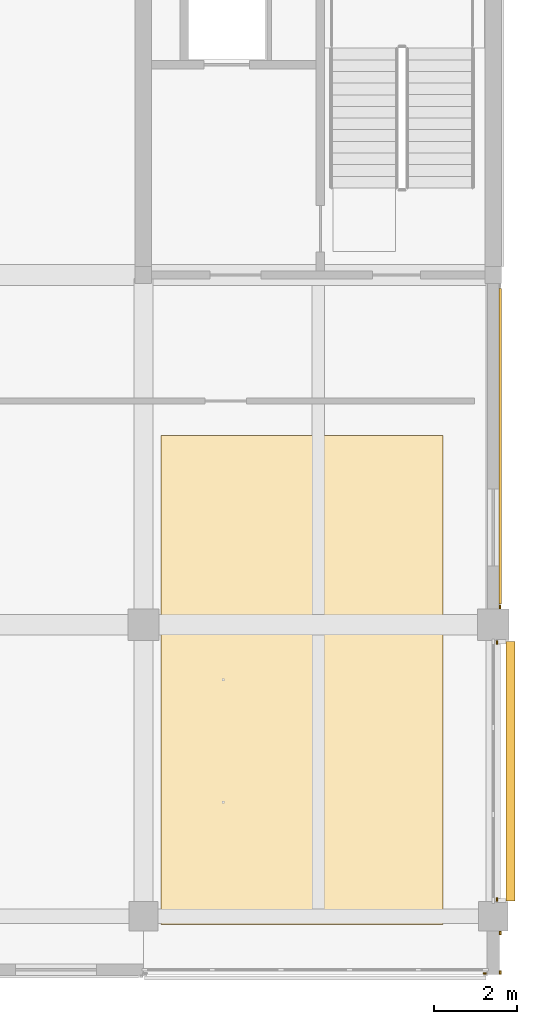
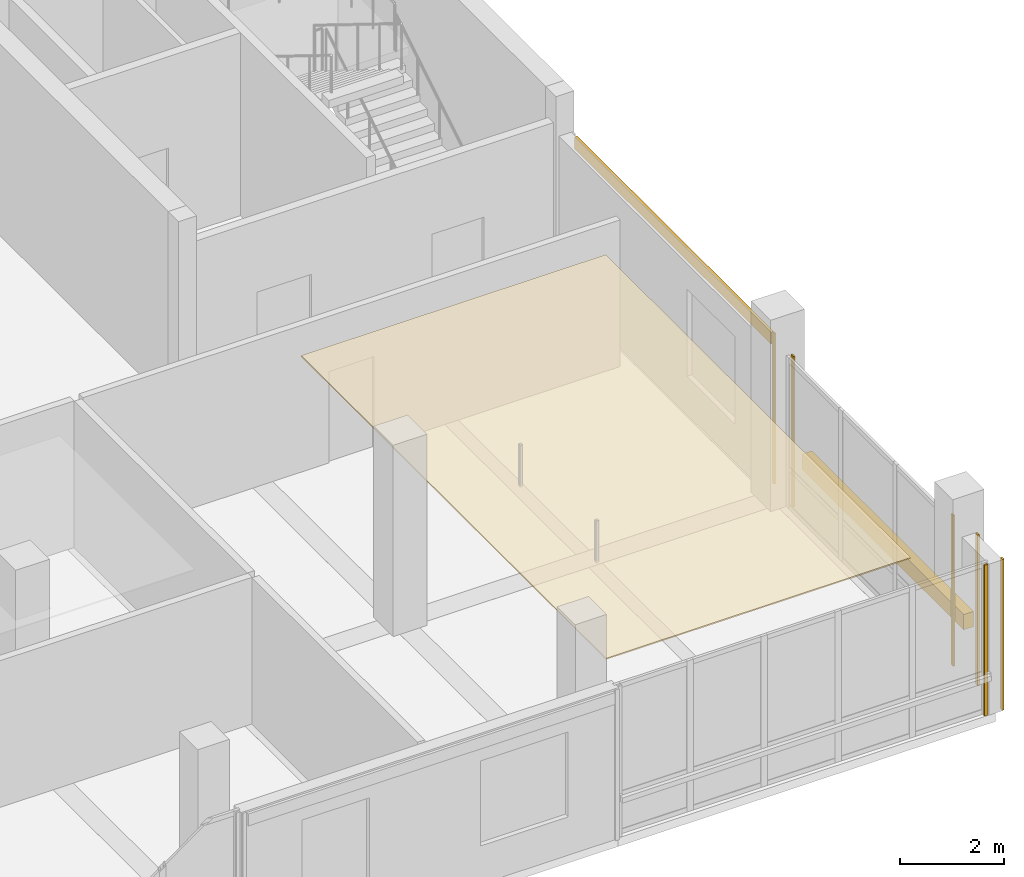
# One storey, part 30 of 35: 8 coverings, 1 shading device.
"""IFC4 building model written with IfcOpenShell, lengths in metres."""

from ifc_helpers import new_model, si_unit, direction, frame, origin, origin_2d, place, context, subcontext, project, spatial, polyline, rectangle, outline, extrude, material, layer, layer_set, type_object, element, save


model = new_model("IFC4")

# Units and contexts
model_context = context("Model", 3, precision=1e-05, world=origin(), true_north=direction((0.0, 1.0)))
body_context = subcontext(model_context, "Body", "Model", "MODEL_VIEW")
ifc_project = project(units=[si_unit("LENGTHUNIT", "METRE"), si_unit("AREAUNIT", "SQUARE_METRE"), si_unit("VOLUMEUNIT", "CUBIC_METRE"), si_unit("PLANEANGLEUNIT", "RADIAN"), si_unit("MASSUNIT", "GRAM", prefix="KILO")], contexts=[model_context])

# Site, building, storey
site_placement = place(None, origin())
site = spatial("IfcSite", under=ifc_project, at=site_placement, CompositionType="ELEMENT")
building_placement = place(site_placement, origin())
building = spatial("IfcBuilding", under=site, at=building_placement, Name="Telukmera Botanical Conservatory", CompositionType="ELEMENT")
storey_placement = place(building_placement, frame((0.0, 0.0, 46.5)))
storey = spatial("IfcBuildingStorey", under=building, at=storey_placement, Name="L10", CompositionType="ELEMENT", Elevation=46.5)

# Coverings
ifc_material_1 = material(Name="Mineral fibre acoustic ceiling")
ifc_layer_1 = layer(ifc_material_1, 0.030029296875)
ifc_layer_set_1 = layer_set([ifc_layer_1], Name="Mineral fibre acoustic ceiling")
covering_type_1 = type_object("IfcCoveringType", Name="COV-CEIL-30", PredefinedType="CEILING", material=ifc_layer_set_1)
covering_1_placement = place(storey_placement, frame((0.0, 0.0, 3.320068359375)))
element("IfcCovering", 1, at=covering_1_placement, inside=storey, type_object=covering_type_1, Name="L10 Laboratory Write-Up Studio Suspended Acoustic Ceiling", PredefinedType="CEILING", context=body_context, shape_type="SweptSolid", body=[
    extrude(outline(polyline([(92.820068359375, 10.39990234375), (99.60009765625, 10.39990234375), (99.60009765625, 22.14990234375), (92.820068359375, 22.14990234375), (92.820068359375, 10.39990234375)])), origin(), (0.0, 0.0, 1.0), 0.030029296875),
])
ifc_material_2 = material(Name="Granite-faced precast concrete C40/50", Category="masonry")
ifc_layer_2 = layer(ifc_material_2, 0.0400390625)
ifc_layer_set_2 = layer_set([ifc_layer_2], Name="Granite-faced precast concrete C40/50")
covering_type_2 = type_object("IfcCoveringType", Name="Granite Precast Column Pier Reveal Casing", PredefinedType="CLADDING", material=ifc_layer_set_2)
for number, where, z_axis, x_axis, name in (
    (2, (100.969970703125, 9.25, 0.0), (0.0, 0.0, 1.0), (0.0, 1.0, 0.0), "Granite Pier Reveal V4:L10:SEC L"),
    (3, (100.969970703125, 10.197998046875, 0.0), (0.0, 0.0, 1.0), (0.0, 1.0, 0.0), "Granite Pier Reveal V4:L10:SEC R"),
    (4, (100.597900390625, 9.22998046875, 0.0), (0.0, 0.0, 1.0), (1.0, 0.0, 0.0), "Granite Pier Reveal V4:L10:S6 R"),
    (5, (100.889892578125, 11.001953125, 0.0), (0.0, 0.0, 1.0), (0.0, 1.0, 0.0), "Granite Pier Reveal V4:L10:E1 L"),
    (6, (100.889892578125, 17.173095703125, 0.0), (0.0, 0.0, 1.0), (0.0, 1.0, 0.0), "Granite Pier Reveal V4:L10:E1 R"),
    (7, (100.9599609375, 18.027099609375, 0.0), (0.0, 0.0, 1.0), (0.0, 1.0, 0.0), "Granite Pier Reveal V4:L10:E2 L"),
):
    element("IfcCovering", number, at=place(storey_placement, frame(where, z_axis=z_axis, x_axis=x_axis)), inside=storey, type_object=covering_type_2, Name=name, PredefinedType="CLADDING", context=body_context, shape_type="SweptSolid", body=[
        extrude(rectangle(XDim=0.080078125, YDim=0.0400390625, at=origin_2d()), origin(), (0.0, 0.0, 1.0), 3.550048828125),
    ])

# Shading device
ifc_material_3 = material(Name="Perforated terracotta-anodised aluminium 6063-T6", Category="masonry")
ifc_layer_3 = layer(ifc_material_3, 0.050048828125)
ifc_layer_set_3 = layer_set([ifc_layer_3], Name="Perforated terracotta-anodised aluminium 6063-T6")
shading_device_type = type_object("IfcShadingDeviceType", Name="Operable Monsoon Solar Louvre Shutter Bank", PredefinedType="SHUTTER", material=ifc_layer_set_3)
shading_device_placement = place(storey_placement, frame((101.219970703125, 14.08740234375, 0.77001953125), z_axis=(0.0, 0.0, 1.0), x_axis=(0.0, 1.0, 0.0)))
element("IfcShadingDevice", 8, at=shading_device_placement, inside=storey, type_object=shading_device_type, Name="Monsoon Shading SH01 V4:L10:E1", PredefinedType="SHUTTER", context=body_context, shape_type="SweptSolid", body=[
    extrude(rectangle(XDim=6.23095703125, YDim=0.219970703125, at=origin_2d()), origin(), (0.0, 0.0, 1.0), 0.360107421875),
])

# Covering
ifc_material_4 = material(Name="Terracotta-faced precast concrete C40/50", Category="masonry")
ifc_layer_4 = layer(ifc_material_4, 0.06005859375)
ifc_layer_set_4 = layer_set([ifc_layer_4], Name="Terracotta-faced precast concrete C40/50")
covering_type_3 = type_object("IfcCoveringType", Name="Polychrome Terracotta Facade Band Cladding", PredefinedType="CLADDING", material=ifc_layer_set_4)
covering_2_placement = place(storey_placement, frame((100.969970703125, 21.887451171875, 3.22998046875), z_axis=(0.0, 0.0, 1.0), x_axis=(0.0, 1.0, 0.0)))
element("IfcCovering", 9, at=covering_2_placement, inside=storey, type_object=covering_type_3, Name="Polychrome Terracotta Band V4:L10:E2", PredefinedType="CLADDING", context=body_context, shape_type="SweptSolid", body=[
    extrude(rectangle(XDim=7.5810546875, YDim=0.06005859375, at=origin_2d()), origin(), (0.0, 0.0, 1.0), 0.280029296875),
])

save(model, "model.ifc")
